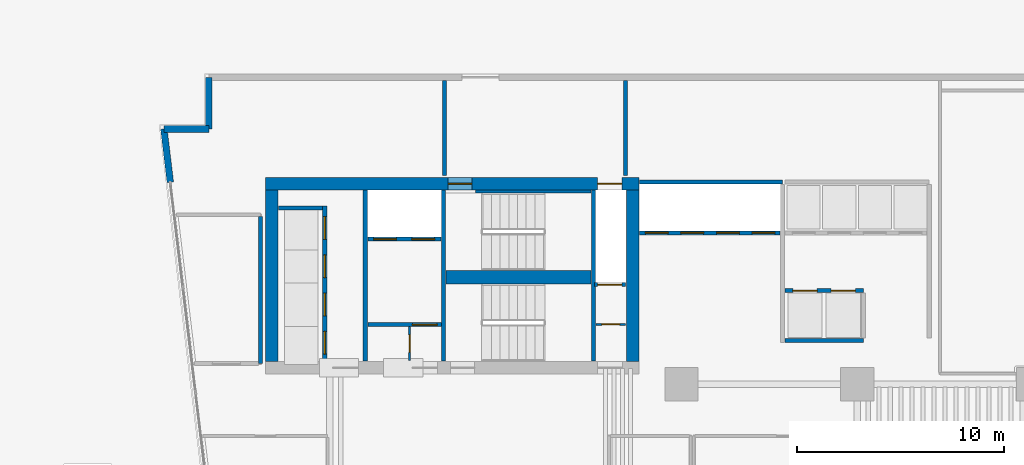
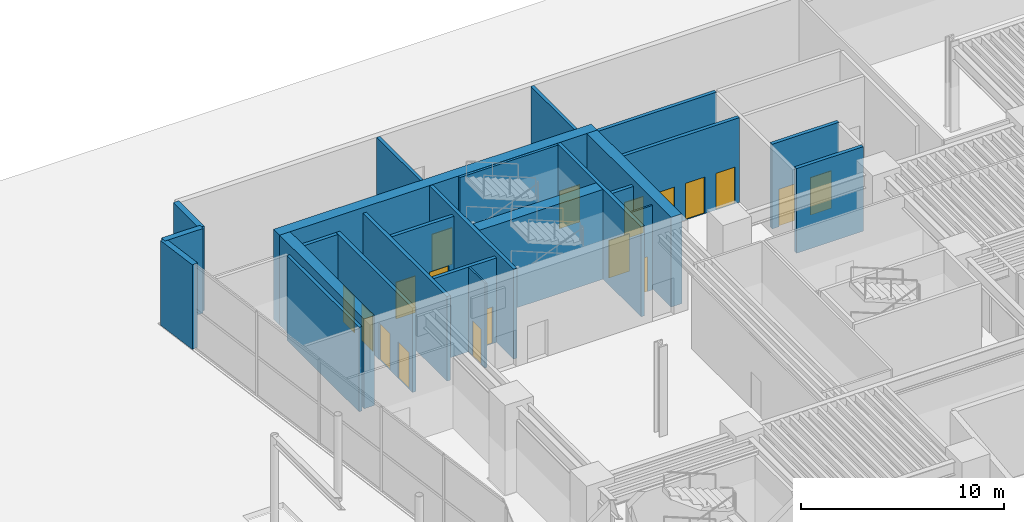
# One storey, part 10 of 18: 25 walls, 18 doors, 18 openings.
"""IFC4 building model written with IfcOpenShell, lengths in metres."""

from ifc_helpers import new_model, si_unit, direction, frame, frame_2d, origin, place, context, subcontext, project, spatial, rectangle, extrude, material, layer, layer_set, type_object, element, fill, save


model = new_model("IFC4")

# Units and contexts
model_context = context("Model", 3, precision=1e-05, world=origin(), true_north=direction((0.0, 1.0)))
body_context = subcontext(model_context, "Body", "Model", "MODEL_VIEW")
ifc_project = project(units=[si_unit("LENGTHUNIT", "METRE"), si_unit("AREAUNIT", "SQUARE_METRE"), si_unit("VOLUMEUNIT", "CUBIC_METRE"), si_unit("PLANEANGLEUNIT", "RADIAN"), si_unit("MASSUNIT", "GRAM", prefix="KILO")], contexts=[model_context])

# Site, building, storey
site_placement = place(None, origin())
site = spatial("IfcSite", under=ifc_project, at=site_placement, CompositionType="ELEMENT")
building_placement = place(site_placement, origin())
building = spatial("IfcBuilding", under=site, at=building_placement, Name="Caeloran Harvest Quay", CompositionType="ELEMENT")
storey_placement = place(building_placement, origin())
storey = spatial("IfcBuildingStorey", under=building, at=storey_placement, Name="L01", CompositionType="ELEMENT", Elevation=0.0)

# Walls
ifc_material_1 = material(Name="Precast concrete C50/60", Category="concrete")
ifc_layer_1 = layer(ifc_material_1, 0.320068359375, Name="Precast concrete C50/60")
ifc_layer_set_1 = layer_set([ifc_layer_1], Name="Precast concrete C50/60")
wall_type_1 = type_object("IfcWallType", Name="ENV-WALL-EW-320", PredefinedType="STANDARD", material=ifc_layer_set_1)
wall_1_placement = place(storey_placement, frame((0.792724609375, 40.7587890625, 0.0), z_axis=(0.0, 0.0, 1.0), x_axis=(-0.119630264411, 0.992818513041, 0.0)))
element("IfcWall", 1, at=wall_1_placement, inside=storey, type_object=wall_type_1, Name="L01 Exterior Facade Corner Pier Wall 3B", PredefinedType="STANDARD", context=body_context, shape_type="SweptSolid", body=[
    extrude(rectangle(XDim=2.599853515625, YDim=0.320068359375, at=frame_2d((1.2998046875, 0.0))), origin(), (0.0, 0.0, 1.0), 5.080078125),
])
wall_2_placement = place(storey_placement, frame((0.481689453125, 43.340087890625, 0.0), z_axis=(0.0, 0.0, 1.0), x_axis=(1.0, 0.0, 0.0)))
element("IfcWall", 2, at=wall_2_placement, inside=storey, type_object=wall_type_1, Name="L01 Exterior Precast Concrete Facade Wall 4", PredefinedType="STANDARD", context=body_context, shape_type="SweptSolid", body=[
    extrude(rectangle(XDim=2.17822265625, YDim=0.320068359375, at=frame_2d((1.089111328125, 0.0))), origin(), (0.0, 0.0, 1.0), 5.080078125),
])
wall_3_placement = place(storey_placement, frame((2.659912109375, 43.340087890625, 0.0), z_axis=(0.0, 0.0, 1.0), x_axis=(0.0, 1.0, 0.0)))
element("IfcWall", 3, at=wall_3_placement, inside=storey, type_object=wall_type_1, Name="L01 Exterior Precast Concrete Facade Wall 5", PredefinedType="STANDARD", context=body_context, shape_type="SweptSolid", body=[
    extrude(rectangle(XDim=2.5, YDim=0.320068359375, at=frame_2d((1.25, 0.0))), origin(), (0.0, 0.0, 1.0), 5.080078125),
])

# Wall, opening, door
ifc_material_2 = material(Name="Fire-Resisting Gypsum Core Riser Partition", Category="gypsum")
ifc_layer_2 = layer(ifc_material_2, 0.10009765625, Name="Fire-Resisting Gypsum Core Riser Partition")
ifc_layer_set_2 = layer_set([ifc_layer_2], Name="Fire-Resisting Gypsum Core Riser Partition")
wall_type_2 = type_object("IfcWallType", Name="INT-WALL-PW-100", PredefinedType="PARTITIONING", material=ifc_layer_set_2)
wall_4_placement = place(storey_placement, frame((12.360107421875, 32.159912109375, 0.0), z_axis=(0.0, 0.0, 1.0), x_axis=(0.0, 1.0, 0.0)))
wall_4 = element("IfcWall", 4, at=wall_4_placement, inside=storey, type_object=wall_type_2, Name="L01 Core Store Partition Wall", PredefinedType="PARTITIONING", context=body_context, shape_type="SweptSolid", body=[
    extrude(rectangle(XDim=1.6201171875, YDim=0.10009765625, at=frame_2d((0.81005859375, 0.0))), origin(), (0.0, 0.0, 1.0), 5.080078125),
])
opening_1_placement = place(wall_4_placement, frame((0.3798828125, 0.0, 0.0)))
opening_1 = element("IfcOpeningElement", 5, at=opening_1_placement, cuts=wall_4, Name="Opening SV-01", PredefinedType="OPENING", context=body_context, shape_type="SweptSolid", body=[
    extrude(rectangle(XDim=0.85009765625, YDim=2.10009765625, at=frame_2d((0.425048828125, 1.050048828125))), frame((0.0, 0.06005859375, 0.0), z_axis=(0.0, -1.0, 0.0), x_axis=(1.0, 0.0, 0.0)), (0.0, 0.0, 1.0), 0.1201171875),
])
ifc_material_3 = material(Name="Galvanized Painted Steel", Category="steel")
door_type_1 = type_object("IfcDoorType", Name="INTDOOR-SV-01", OperationType="NOTDEFINED", PredefinedType="DOOR", material=ifc_material_3)
door_1_placement = place(opening_1_placement, origin())
door_1 = element("IfcDoor", 6, at=door_1_placement, inside=storey, type_object=door_type_1, Name="L01 Core Service Room Access Door", OperationType="SINGLE_SWING_LEFT", OverallHeight=2.10009765625, OverallWidth=0.85009765625, PredefinedType="DOOR", context=body_context, shape_type="SweptSolid", body=[
    extrude(rectangle(XDim=0.85009765625, YDim=2.10009765625, at=frame_2d((0.425048828125, 1.050048828125))), frame((0.0, 0.02490234375, 0.0), z_axis=(0.0, -1.0, 0.0), x_axis=(1.0, 0.0, 0.0)), (0.0, 0.0, 1.0), 0.050048828125),
])
fill(opening_1, door_1)

wall_5_placement = place(storey_placement, frame((21.3798828125, 33.889892578125, 0.0), z_axis=(0.0, 0.0, 1.0), x_axis=(1.0, 0.0, 0.0)))
wall_5 = element("IfcWall", 7, at=wall_5_placement, inside=storey, type_object=wall_type_2, Name="L01 Cleaner Store Partition Wall", PredefinedType="PARTITIONING", context=body_context, shape_type="SweptSolid", body=[
    extrude(rectangle(XDim=1.420166015625, YDim=0.10009765625, at=frame_2d((0.7099609375, 0.0))), origin(), (0.0, 0.0, 1.0), 5.080078125),
])
opening_2_placement = place(wall_5_placement, frame((0.280029296875, 0.0, 0.0)))
opening_2 = element("IfcOpeningElement", 8, at=opening_2_placement, cuts=wall_5, Name="Opening SV-01", PredefinedType="OPENING", context=body_context, shape_type="SweptSolid", body=[
    extrude(rectangle(XDim=0.85009765625, YDim=2.10009765625, at=frame_2d((0.425048828125, 1.050048828125))), frame((0.0, 0.06005859375, 0.0), z_axis=(0.0, -1.0, 0.0), x_axis=(1.0, 0.0, 0.0)), (0.0, 0.0, 1.0), 0.1201171875),
])
door_2_placement = place(opening_2_placement, origin())
door_2 = element("IfcDoor", 9, at=door_2_placement, inside=storey, type_object=door_type_1, Name="L01 Cleaner Supply Store Access Door", OperationType="SINGLE_SWING_RIGHT", OverallHeight=2.10009765625, OverallWidth=0.85009765625, PredefinedType="DOOR", context=body_context, shape_type="SweptSolid", body=[
    extrude(rectangle(XDim=0.85009765625, YDim=2.10009765625, at=frame_2d((0.425048828125, 1.050048828125))), frame((0.0, 0.02490234375, 0.0), z_axis=(0.0, -1.0, 0.0), x_axis=(1.0, 0.0, 0.0)), (0.0, 0.0, 1.0), 0.050048828125),
])
fill(opening_2, door_2)

# Walls
ifc_material_4 = material(Name="Autoclaved Aerated Concrete Blockwork", Category="masonry")
ifc_layer_3 = layer(ifc_material_4, 0.179931640625, Name="Autoclaved Aerated Concrete Blockwork")
ifc_layer_set_3 = layer_set([ifc_layer_3], Name="Autoclaved Aerated Concrete Blockwork")
wall_type_3 = type_object("IfcWallType", Name="INT-WALL-PW-180", PredefinedType="PARTITIONING", material=ifc_layer_set_3)
for number, where, z_axis, x_axis, name in (
    (10, (22.800048828125, 45.675048828125, 0.0), (0.0, 0.0, 1.0), (0.0, -1.0, 0.0), "L01 Protected Exit Passageway ST-C1 to North Waterfront EI 120 Compartment Wall"),
    (11, (14.050048828125, 41.080078125, 0.0), (0.0, 0.0, 1.0), (0.0, 1.0, 0.0), "L01 Protected Exit Passageway ST-C1 to North Waterfront EI 120 Compartment Wall"),
):
    element("IfcWall", number, at=place(storey_placement, frame(where, z_axis=z_axis, x_axis=x_axis)), inside=storey, type_object=wall_type_3, Name=name, PredefinedType="PARTITIONING", context=body_context, shape_type="SweptSolid", body=[
        extrude(rectangle(XDim=4.594970703125, YDim=0.179931640625, at=frame_2d((2.29736328125, 0.0))), origin(), (0.0, 0.0, 1.0), 5.080078125),
    ])
wall_6_placement = place(storey_placement, frame((5.14990234375, 39.10498046875, 0.0), z_axis=(0.0, 0.0, 1.0), x_axis=(0.0, -1.0, 0.0)))
element("IfcWall", 12, at=wall_6_placement, inside=storey, type_object=wall_type_3, Name="L01 Fire Command Centre and Fire Control Room Partition Wall", PredefinedType="PARTITIONING", context=body_context, shape_type="SweptSolid", body=[
    extrude(rectangle(XDim=7.10498046875, YDim=0.179931640625, at=frame_2d((3.552490234375, 0.0))), origin(), (0.0, 0.0, 1.0), 5.080078125),
])

# Wall, openings, doors
ifc_material_5 = material(Name="Concrete C50/60", Category="concrete")
ifc_layer_4 = layer(ifc_material_5, 0.199951171875, Name="Concrete C50/60")
ifc_layer_set_4 = layer_set([ifc_layer_4], Name="Concrete C50/60")
wall_type_4 = type_object("IfcWallType", Name="INT-WALL-SW-200", PredefinedType="PARTITIONING", material=ifc_layer_set_4)
wall_7_placement = place(storey_placement, frame((8.260009765625, 32.1201171875, 0.0), z_axis=(0.0, 0.0, 1.0), x_axis=(0.0, 1.0, 0.0)))
wall_7 = element("IfcWall", 13, at=wall_7_placement, inside=storey, type_object=wall_type_4, Name="L01 Bank 3 Lift Shaft Wall", PredefinedType="PARTITIONING", context=body_context, shape_type="SweptSolid", body=[
    extrude(rectangle(XDim=7.5, YDim=0.199951171875, at=frame_2d((3.75, 0.0))), origin(), (0.0, 0.0, 1.0), 5.080078125),
])
opening_3_placement = place(wall_7_placement, frame((0.330078125, 0.0, 0.0)))
opening_3 = element("IfcOpeningElement", 14, at=opening_3_placement, cuts=wall_7, Name="Opening LD-01", PredefinedType="OPENING", context=body_context, shape_type="SweptSolid", body=[
    extrude(rectangle(XDim=1.10009765625, YDim=2.199951171875, at=frame_2d((0.550048828125, 1.10009765625))), frame((0.0, 0.10986328125, 0.0), z_axis=(0.0, -1.0, 0.0), x_axis=(1.0, 0.0, 0.0)), (0.0, 0.0, 1.0), 0.219970703125),
])
opening_4_placement = place(wall_7_placement, frame((2.179931640625, 0.0, 0.0)))
opening_4 = element("IfcOpeningElement", 15, at=opening_4_placement, cuts=wall_7, Name="Opening LD-01", PredefinedType="OPENING", context=body_context, shape_type="SweptSolid", body=[
    extrude(rectangle(XDim=1.10009765625, YDim=2.199951171875, at=frame_2d((0.550048828125, 1.10009765625))), frame((0.0, 0.10986328125, 0.0), z_axis=(0.0, -1.0, 0.0), x_axis=(1.0, 0.0, 0.0)), (0.0, 0.0, 1.0), 0.219970703125),
])
opening_5_placement = place(wall_7_placement, frame((4.030029296875, 0.0, 0.0)))
opening_5 = element("IfcOpeningElement", 16, at=opening_5_placement, cuts=wall_7, Name="Opening LD-01", PredefinedType="OPENING", context=body_context, shape_type="SweptSolid", body=[
    extrude(rectangle(XDim=1.10009765625, YDim=2.199951171875, at=frame_2d((0.550048828125, 1.10009765625))), frame((0.0, 0.10986328125, 0.0), z_axis=(0.0, -1.0, 0.0), x_axis=(1.0, 0.0, 0.0)), (0.0, 0.0, 1.0), 0.219970703125),
])
opening_6_placement = place(wall_7_placement, frame((5.8798828125, 0.0, 0.0)))
opening_6 = element("IfcOpeningElement", 17, at=opening_6_placement, cuts=wall_7, Name="Opening LD-01", PredefinedType="OPENING", context=body_context, shape_type="SweptSolid", body=[
    extrude(rectangle(XDim=1.10009765625, YDim=2.199951171875, at=frame_2d((0.550048828125, 1.10009765625))), frame((0.0, 0.10986328125, 0.0), z_axis=(0.0, -1.0, 0.0), x_axis=(1.0, 0.0, 0.0)), (0.0, 0.0, 1.0), 0.219970703125),
])
ifc_material_6 = material(Name="Stainless Steel Grade 316", Category="steel")
door_type_2 = type_object("IfcDoorType", Name="INTDOOR-LD-01", OperationType="NOTDEFINED", PredefinedType="DOOR", material=ifc_material_6)
door_3_placement = place(opening_3_placement, origin())
door_3 = element("IfcDoor", 18, at=door_3_placement, inside=storey, type_object=door_type_2, Name="Lift P3-1 Sliding Landing Door (L01)", OperationType="DOUBLE_DOOR_SLIDING", OverallHeight=2.199951171875, OverallWidth=1.10009765625, PredefinedType="DOOR", context=body_context, shape_type="SweptSolid", body=[
    extrude(rectangle(XDim=1.10009765625, YDim=2.199951171875, at=frame_2d((0.550048828125, 1.10009765625))), frame((0.0, 0.02490234375, 0.0), z_axis=(0.0, -1.0, 0.0), x_axis=(1.0, 0.0, 0.0)), (0.0, 0.0, 1.0), 0.050048828125),
])
fill(opening_3, door_3)
door_4_placement = place(opening_4_placement, origin())
door_4 = element("IfcDoor", 19, at=door_4_placement, inside=storey, type_object=door_type_2, Name="Lift P3-2 Sliding Landing Door (L01)", OperationType="DOUBLE_DOOR_SLIDING", OverallHeight=2.199951171875, OverallWidth=1.10009765625, PredefinedType="DOOR", context=body_context, shape_type="SweptSolid", body=[
    extrude(rectangle(XDim=1.10009765625, YDim=2.199951171875, at=frame_2d((0.550048828125, 1.10009765625))), frame((0.0, 0.02490234375, 0.0), z_axis=(0.0, -1.0, 0.0), x_axis=(1.0, 0.0, 0.0)), (0.0, 0.0, 1.0), 0.050048828125),
])
fill(opening_4, door_4)
door_5_placement = place(opening_5_placement, origin())
door_5 = element("IfcDoor", 20, at=door_5_placement, inside=storey, type_object=door_type_2, Name="Lift P3-3 Sliding Landing Door (L01)", OperationType="DOUBLE_DOOR_SLIDING", OverallHeight=2.199951171875, OverallWidth=1.10009765625, PredefinedType="DOOR", context=body_context, shape_type="SweptSolid", body=[
    extrude(rectangle(XDim=1.10009765625, YDim=2.199951171875, at=frame_2d((0.550048828125, 1.10009765625))), frame((0.0, 0.02490234375, 0.0), z_axis=(0.0, -1.0, 0.0), x_axis=(1.0, 0.0, 0.0)), (0.0, 0.0, 1.0), 0.050048828125),
])
fill(opening_5, door_5)
door_6_placement = place(opening_6_placement, origin())
door_6 = element("IfcDoor", 21, at=door_6_placement, inside=storey, type_object=door_type_2, Name="Lift P3-4 Sliding Landing Door (L01)", OperationType="DOUBLE_DOOR_SLIDING", OverallHeight=2.199951171875, OverallWidth=1.10009765625, PredefinedType="DOOR", context=body_context, shape_type="SweptSolid", body=[
    extrude(rectangle(XDim=1.10009765625, YDim=2.199951171875, at=frame_2d((0.550048828125, 1.10009765625))), frame((0.0, 0.02490234375, 0.0), z_axis=(0.0, -1.0, 0.0), x_axis=(1.0, 0.0, 0.0)), (0.0, 0.0, 1.0), 0.050048828125),
])
fill(opening_6, door_6)

# Walls
wall_8_placement = place(storey_placement, frame((6.02001953125, 39.52001953125, 0.0), z_axis=(0.0, 0.0, 1.0), x_axis=(1.0, 0.0, 0.0)))
element("IfcWall", 22, at=wall_8_placement, inside=storey, type_object=wall_type_4, Name="L01 Bank 3 Lift Shaft North End Wall", PredefinedType="PARTITIONING", context=body_context, shape_type="SweptSolid", body=[
    extrude(rectangle(XDim=2.119873046875, YDim=0.199951171875, at=frame_2d((1.06005859375, 0.0))), origin(), (0.0, 0.0, 1.0), 5.080078125),
])
wall_9_placement = place(storey_placement, frame((10.219970703125, 32.1201171875, 0.0), z_axis=(0.0, 0.0, 1.0), x_axis=(0.0, 1.0, 0.0)))
element("IfcWall", 23, at=wall_9_placement, inside=storey, type_object=wall_type_4, Name="L01 Core Lobby Compartment Wall", PredefinedType="PARTITIONING", context=body_context, shape_type="SweptSolid", body=[
    extrude(rectangle(XDim=8.259765625, YDim=0.199951171875, at=frame_2d((4.1298828125, 0.0))), origin(), (0.0, 0.0, 1.0), 5.080078125),
])

# Wall, openings, doors
wall_10_placement = place(storey_placement, frame((10.340087890625, 38.02001953125, 0.0), z_axis=(0.0, 0.0, 1.0), x_axis=(1.0, 0.0, 0.0)))
wall_10 = element("IfcWall", 24, at=wall_10_placement, inside=storey, type_object=wall_type_4, Name="L01 Firefighting Lift Shaft Wall", PredefinedType="PARTITIONING", context=body_context, shape_type="SweptSolid", body=[
    extrude(rectangle(XDim=3.539794921875, YDim=0.199951171875, at=frame_2d((1.77001953125, 0.0))), origin(), (0.0, 0.0, 1.0), 5.080078125),
])
opening_7_placement = place(wall_10_placement, frame((0.284912109375, 0.0, 0.0)))
opening_7 = element("IfcOpeningElement", 25, at=opening_7_placement, cuts=wall_10, Name="Opening LD-01", PredefinedType="OPENING", context=body_context, shape_type="SweptSolid", body=[
    extrude(rectangle(XDim=1.10009765625, YDim=2.199951171875, at=frame_2d((0.550048828125, 1.10009765625))), frame((0.0, 0.10986328125, 0.0), z_axis=(0.0, -1.0, 0.0), x_axis=(1.0, 0.0, 0.0)), (0.0, 0.0, 1.0), 0.219970703125),
])
opening_8_placement = place(wall_10_placement, frame((2.135009765625, 0.0, 0.0)))
opening_8 = element("IfcOpeningElement", 26, at=opening_8_placement, cuts=wall_10, Name="Opening LD-01", PredefinedType="OPENING", context=body_context, shape_type="SweptSolid", body=[
    extrude(rectangle(XDim=1.10009765625, YDim=2.199951171875, at=frame_2d((0.550048828125, 1.10009765625))), frame((0.0, 0.10986328125, 0.0), z_axis=(0.0, -1.0, 0.0), x_axis=(1.0, 0.0, 0.0)), (0.0, 0.0, 1.0), 0.219970703125),
])
door_7_placement = place(opening_7_placement, origin())
door_7 = element("IfcDoor", 27, at=door_7_placement, inside=storey, type_object=door_type_2, Name="Lift FF-1 Sliding Landing Door (L01)", OperationType="DOUBLE_DOOR_SLIDING", OverallHeight=2.199951171875, OverallWidth=1.10009765625, PredefinedType="DOOR", context=body_context, shape_type="SweptSolid", body=[
    extrude(rectangle(XDim=1.10009765625, YDim=2.199951171875, at=frame_2d((0.550048828125, 1.10009765625))), frame((0.0, 0.02490234375, 0.0), z_axis=(0.0, -1.0, 0.0), x_axis=(1.0, 0.0, 0.0)), (0.0, 0.0, 1.0), 0.050048828125),
])
fill(opening_7, door_7)
door_8_placement = place(opening_8_placement, origin())
door_8 = element("IfcDoor", 28, at=door_8_placement, inside=storey, type_object=door_type_2, Name="Lift FF-2 Sliding Landing Door (L01)", OperationType="DOUBLE_DOOR_SLIDING", OverallHeight=2.199951171875, OverallWidth=1.10009765625, PredefinedType="DOOR", context=body_context, shape_type="SweptSolid", body=[
    extrude(rectangle(XDim=1.10009765625, YDim=2.199951171875, at=frame_2d((0.550048828125, 1.10009765625))), frame((0.0, 0.02490234375, 0.0), z_axis=(0.0, -1.0, 0.0), x_axis=(1.0, 0.0, 0.0)), (0.0, 0.0, 1.0), 0.050048828125),
])
fill(opening_8, door_8)

# Wall, opening, door
wall_11_placement = place(storey_placement, frame((10.340087890625, 33.8798828125, 0.0), z_axis=(0.0, 0.0, 1.0), x_axis=(1.0, 0.0, 0.0)))
wall_11 = element("IfcWall", 29, at=wall_11_placement, inside=storey, type_object=wall_type_4, Name="L01 Firefighting Lift Lobby Enclosure Wall", PredefinedType="PARTITIONING", context=body_context, shape_type="SweptSolid", body=[
    extrude(rectangle(XDim=3.559814453125, YDim=0.199951171875, at=frame_2d((1.77978515625, 0.0))), origin(), (0.0, 0.0, 1.0), 5.080078125),
])
opening_9_placement = place(wall_11_placement, frame((2.14990234375, 0.0, 0.0)))
opening_9 = element("IfcOpeningElement", 30, at=opening_9_placement, cuts=wall_11, Name="Opening FD-01", PredefinedType="OPENING", context=body_context, shape_type="SweptSolid", body=[
    extrude(rectangle(XDim=1.199951171875, YDim=2.199951171875, at=frame_2d((0.60009765625, 1.10009765625))), frame((0.0, 0.10986328125, 0.0), z_axis=(0.0, -1.0, 0.0), x_axis=(1.0, 0.0, 0.0)), (0.0, 0.0, 1.0), 0.219970703125),
])
ifc_material_7 = material(Name="Steel", Category="steel")
door_type_3 = type_object("IfcDoorType", Name="INTDOOR-FD-01", OperationType="NOTDEFINED", PredefinedType="DOOR", material=ifc_material_7)
door_9_placement = place(opening_9_placement, origin())
door_9 = element("IfcDoor", 31, at=door_9_placement, inside=storey, type_object=door_type_3, Name="L01 Firefighting Lift Lobby Smoke-Seal Fire Door", OperationType="SINGLE_SWING_LEFT", OverallHeight=2.199951171875, OverallWidth=1.199951171875, PredefinedType="DOOR", context=body_context, shape_type="SweptSolid", body=[
    extrude(rectangle(XDim=1.199951171875, YDim=2.199951171875, at=frame_2d((0.60009765625, 1.10009765625))), frame((0.0, 0.02490234375, 0.0), z_axis=(0.0, -1.0, 0.0), x_axis=(1.0, 0.0, 0.0)), (0.0, 0.0, 1.0), 0.050048828125),
])
fill(opening_9, door_9)

wall_12_placement = place(storey_placement, frame((21.300048828125, 35.820068359375, 0.0), z_axis=(0.0, 0.0, 1.0), x_axis=(1.0, 0.0, 0.0)))
wall_12 = element("IfcWall", 32, at=wall_12_placement, inside=storey, type_object=wall_type_4, Name="L01 Service Lift SV-2 Shaft Wall", PredefinedType="PARTITIONING", context=body_context, shape_type="SweptSolid", body=[
    extrude(rectangle(XDim=1.5, YDim=0.199951171875, at=frame_2d((0.75, 0.0))), origin(), (0.0, 0.0, 1.0), 5.080078125),
])
opening_10_placement = place(wall_12_placement, frame((0.14501953125, 0.0, 0.0)))
opening_10 = element("IfcOpeningElement", 33, at=opening_10_placement, cuts=wall_12, Name="Opening LD-02", PredefinedType="OPENING", context=body_context, shape_type="SweptSolid", body=[
    extrude(rectangle(XDim=1.179931640625, YDim=2.25, at=frame_2d((0.58984375, 1.125))), frame((0.0, 0.10986328125, 0.0), z_axis=(0.0, -1.0, 0.0), x_axis=(1.0, 0.0, 0.0)), (0.0, 0.0, 1.0), 0.219970703125),
])
door_type_4 = type_object("IfcDoorType", Name="INTDOOR-LD-02", OperationType="NOTDEFINED", PredefinedType="DOOR", material=ifc_material_6)
door_10_placement = place(opening_10_placement, origin())
door_10 = element("IfcDoor", 34, at=door_10_placement, inside=storey, type_object=door_type_4, Name="Lift SV-2 Sliding Landing Door (L01)", OperationType="DOUBLE_DOOR_SLIDING", OverallHeight=2.25, OverallWidth=1.179931640625, PredefinedType="DOOR", context=body_context, shape_type="SweptSolid", body=[
    extrude(rectangle(XDim=1.179931640625, YDim=2.25, at=frame_2d((0.58984375, 1.125))), frame((0.0, 0.02490234375, 0.0), z_axis=(0.0, -1.0, 0.0), x_axis=(1.0, 0.0, 0.0)), (0.0, 0.0, 1.0), 0.050048828125),
])
fill(opening_10, door_10)

# Wall
wall_13_placement = place(storey_placement, frame((23.469970703125, 40.780029296875, 0.0), z_axis=(0.0, 0.0, 1.0), x_axis=(1.0, 0.0, 0.0)))
element("IfcWall", 35, at=wall_13_placement, inside=storey, type_object=wall_type_4, Name="L01 Bank 1 Lift Shaft North Wall", PredefinedType="PARTITIONING", context=body_context, shape_type="SweptSolid", body=[
    extrude(rectangle(XDim=6.909912109375, YDim=0.199951171875, at=frame_2d((3.455078125, 0.0))), origin(), (0.0, 0.0, 1.0), 5.080078125),
])

# Wall, openings, doors
wall_14_placement = place(storey_placement, frame((23.469970703125, 38.320068359375, 0.0), z_axis=(0.0, 0.0, 1.0), x_axis=(1.0, 0.0, 0.0)))
wall_14 = element("IfcWall", 36, at=wall_14_placement, inside=storey, type_object=wall_type_4, Name="L01 Bank 1 Lift Landing Front Wall", PredefinedType="PARTITIONING", context=body_context, shape_type="SweptSolid", body=[
    extrude(rectangle(XDim=6.7900390625, YDim=0.199951171875, at=frame_2d((3.39501953125, 0.0))), origin(), (0.0, 0.0, 1.0), 5.080078125),
])
opening_11_placement = place(wall_14_placement, frame((0.2900390625, 0.0, 0.0)))
opening_11 = element("IfcOpeningElement", 37, at=opening_11_placement, cuts=wall_14, Name="Opening LD-01", PredefinedType="OPENING", context=body_context, shape_type="SweptSolid", body=[
    extrude(rectangle(XDim=1.10009765625, YDim=2.199951171875, at=frame_2d((0.550048828125, 1.10009765625))), frame((0.0, 0.10986328125, 0.0), z_axis=(0.0, -1.0, 0.0), x_axis=(1.0, 0.0, 0.0)), (0.0, 0.0, 1.0), 0.219970703125),
])
opening_12_placement = place(wall_14_placement, frame((2.010009765625, 0.0, 0.0)))
opening_12 = element("IfcOpeningElement", 38, at=opening_12_placement, cuts=wall_14, Name="Opening LD-01", PredefinedType="OPENING", context=body_context, shape_type="SweptSolid", body=[
    extrude(rectangle(XDim=1.10009765625, YDim=2.199951171875, at=frame_2d((0.550048828125, 1.10009765625))), frame((0.0, 0.10986328125, 0.0), z_axis=(0.0, -1.0, 0.0), x_axis=(1.0, 0.0, 0.0)), (0.0, 0.0, 1.0), 0.219970703125),
])
opening_13_placement = place(wall_14_placement, frame((3.72998046875, 0.0, 0.0)))
opening_13 = element("IfcOpeningElement", 39, at=opening_13_placement, cuts=wall_14, Name="Opening LD-01", PredefinedType="OPENING", context=body_context, shape_type="SweptSolid", body=[
    extrude(rectangle(XDim=1.10009765625, YDim=2.199951171875, at=frame_2d((0.550048828125, 1.10009765625))), frame((0.0, 0.10986328125, 0.0), z_axis=(0.0, -1.0, 0.0), x_axis=(1.0, 0.0, 0.0)), (0.0, 0.0, 1.0), 0.219970703125),
])
opening_14_placement = place(wall_14_placement, frame((5.449951171875, 0.0, 0.0)))
opening_14 = element("IfcOpeningElement", 40, at=opening_14_placement, cuts=wall_14, Name="Opening LD-01", PredefinedType="OPENING", context=body_context, shape_type="SweptSolid", body=[
    extrude(rectangle(XDim=1.10009765625, YDim=2.199951171875, at=frame_2d((0.550048828125, 1.10009765625))), frame((0.0, 0.10986328125, 0.0), z_axis=(0.0, -1.0, 0.0), x_axis=(1.0, 0.0, 0.0)), (0.0, 0.0, 1.0), 0.219970703125),
])
door_11_placement = place(opening_11_placement, origin())
door_11 = element("IfcDoor", 41, at=door_11_placement, inside=storey, type_object=door_type_2, Name="Lift P1-1 Sliding Landing Door (L01)", OperationType="DOUBLE_DOOR_SLIDING", OverallHeight=2.199951171875, OverallWidth=1.10009765625, PredefinedType="DOOR", context=body_context, shape_type="SweptSolid", body=[
    extrude(rectangle(XDim=1.10009765625, YDim=2.199951171875, at=frame_2d((0.550048828125, 1.10009765625))), frame((0.0, 0.02490234375, 0.0), z_axis=(0.0, -1.0, 0.0), x_axis=(1.0, 0.0, 0.0)), (0.0, 0.0, 1.0), 0.050048828125),
])
fill(opening_11, door_11)
door_12_placement = place(opening_12_placement, origin())
door_12 = element("IfcDoor", 42, at=door_12_placement, inside=storey, type_object=door_type_2, Name="Lift P1-2 Sliding Landing Door (L01)", OperationType="DOUBLE_DOOR_SLIDING", OverallHeight=2.199951171875, OverallWidth=1.10009765625, PredefinedType="DOOR", context=body_context, shape_type="SweptSolid", body=[
    extrude(rectangle(XDim=1.10009765625, YDim=2.199951171875, at=frame_2d((0.550048828125, 1.10009765625))), frame((0.0, 0.02490234375, 0.0), z_axis=(0.0, -1.0, 0.0), x_axis=(1.0, 0.0, 0.0)), (0.0, 0.0, 1.0), 0.050048828125),
])
fill(opening_12, door_12)
door_13_placement = place(opening_13_placement, origin())
door_13 = element("IfcDoor", 43, at=door_13_placement, inside=storey, type_object=door_type_2, Name="Lift P1-3 Sliding Landing Door (L01)", OperationType="DOUBLE_DOOR_SLIDING", OverallHeight=2.199951171875, OverallWidth=1.10009765625, PredefinedType="DOOR", context=body_context, shape_type="SweptSolid", body=[
    extrude(rectangle(XDim=1.10009765625, YDim=2.199951171875, at=frame_2d((0.550048828125, 1.10009765625))), frame((0.0, 0.02490234375, 0.0), z_axis=(0.0, -1.0, 0.0), x_axis=(1.0, 0.0, 0.0)), (0.0, 0.0, 1.0), 0.050048828125),
])
fill(opening_13, door_13)
door_14_placement = place(opening_14_placement, origin())
door_14 = element("IfcDoor", 44, at=door_14_placement, inside=storey, type_object=door_type_2, Name="Lift P1-4 Sliding Landing Door (L01)", OperationType="DOUBLE_DOOR_SLIDING", OverallHeight=2.199951171875, OverallWidth=1.10009765625, PredefinedType="DOOR", context=body_context, shape_type="SweptSolid", body=[
    extrude(rectangle(XDim=1.10009765625, YDim=2.199951171875, at=frame_2d((0.550048828125, 1.10009765625))), frame((0.0, 0.02490234375, 0.0), z_axis=(0.0, -1.0, 0.0), x_axis=(1.0, 0.0, 0.0)), (0.0, 0.0, 1.0), 0.050048828125),
])
fill(opening_14, door_14)

wall_15_placement = place(storey_placement, frame((30.5, 35.530029296875, 0.0), z_axis=(0.0, 0.0, 1.0), x_axis=(1.0, 0.0, 0.0)))
wall_15 = element("IfcWall", 45, at=wall_15_placement, inside=storey, type_object=wall_type_4, Name="L01 Shuttle Lift Landing Front Wall", PredefinedType="PARTITIONING", context=body_context, shape_type="SweptSolid", body=[
    extrude(rectangle(XDim=3.800048828125, YDim=0.199951171875, at=frame_2d((1.89990234375, 0.0))), origin(), (0.0, 0.0, 1.0), 5.080078125),
])
opening_15_placement = place(wall_15_placement, frame((0.385009765625, 0.0, 0.0)))
opening_15 = element("IfcOpeningElement", 46, at=opening_15_placement, cuts=wall_15, Name="Opening LD-02", PredefinedType="OPENING", context=body_context, shape_type="SweptSolid", body=[
    extrude(rectangle(XDim=1.179931640625, YDim=2.25, at=frame_2d((0.58984375, 1.125))), frame((0.0, 0.10986328125, 0.0), z_axis=(0.0, -1.0, 0.0), x_axis=(1.0, 0.0, 0.0)), (0.0, 0.0, 1.0), 0.219970703125),
])
opening_16_placement = place(wall_15_placement, frame((2.235107421875, 0.0, 0.0)))
opening_16 = element("IfcOpeningElement", 47, at=opening_16_placement, cuts=wall_15, Name="Opening LD-02", PredefinedType="OPENING", context=body_context, shape_type="SweptSolid", body=[
    extrude(rectangle(XDim=1.179931640625, YDim=2.25, at=frame_2d((0.58984375, 1.125))), frame((0.0, 0.10986328125, 0.0), z_axis=(0.0, -1.0, 0.0), x_axis=(1.0, 0.0, 0.0)), (0.0, 0.0, 1.0), 0.219970703125),
])
door_15_placement = place(opening_15_placement, origin())
door_15 = element("IfcDoor", 48, at=door_15_placement, inside=storey, type_object=door_type_4, Name="Lift SH-1 Sliding Landing Door (L01)", OperationType="DOUBLE_DOOR_SLIDING", OverallHeight=2.25, OverallWidth=1.179931640625, PredefinedType="DOOR", context=body_context, shape_type="SweptSolid", body=[
    extrude(rectangle(XDim=1.179931640625, YDim=2.25, at=frame_2d((0.58984375, 1.125))), frame((0.0, 0.02490234375, 0.0), z_axis=(0.0, -1.0, 0.0), x_axis=(1.0, 0.0, 0.0)), (0.0, 0.0, 1.0), 0.050048828125),
])
fill(opening_15, door_15)
door_16_placement = place(opening_16_placement, origin())
door_16 = element("IfcDoor", 49, at=door_16_placement, inside=storey, type_object=door_type_4, Name="Lift SH-2 Sliding Landing Door (L01)", OperationType="DOUBLE_DOOR_SLIDING", OverallHeight=2.25, OverallWidth=1.179931640625, PredefinedType="DOOR", context=body_context, shape_type="SweptSolid", body=[
    extrude(rectangle(XDim=1.179931640625, YDim=2.25, at=frame_2d((0.58984375, 1.125))), frame((0.0, 0.02490234375, 0.0), z_axis=(0.0, -1.0, 0.0), x_axis=(1.0, 0.0, 0.0)), (0.0, 0.0, 1.0), 0.050048828125),
])
fill(opening_16, door_16)

# Wall
wall_16_placement = place(storey_placement, frame((30.5, 33.1201171875, 0.0), z_axis=(0.0, 0.0, 1.0), x_axis=(1.0, 0.0, 0.0)))
element("IfcWall", 50, at=wall_16_placement, inside=storey, type_object=wall_type_4, Name="L01 Shuttle Lift Shaft South Wall", PredefinedType="PARTITIONING", context=body_context, shape_type="SweptSolid", body=[
    extrude(rectangle(XDim=3.800048828125, YDim=0.199951171875, at=frame_2d((1.89990234375, 0.0))), origin(), (0.0, 0.0, 1.0), 5.080078125),
])

# Wall, openings, doors
ifc_material_8 = material(Name="Concrete C80/95", Category="concrete")
ifc_layer_5 = layer(ifc_material_8, 0.60009765625, Name="Concrete C80/95")
ifc_layer_set_5 = layer_set([ifc_layer_5], Name="Concrete C80/95")
wall_type_5 = type_object("IfcWallType", Name="STR-WALL-CW-600", PredefinedType="SHEAR", material=ifc_layer_set_5)
wall_17_placement = place(storey_placement, frame((5.39990234375, 40.699951171875, 0.0), z_axis=(0.0, 0.0, 1.0), x_axis=(1.0, 0.0, 0.0)))
wall_17 = element("IfcWall", 51, at=wall_17_placement, inside=storey, type_object=wall_type_5, Name="L01 Rear Core Shear Wall N", PredefinedType="SHEAR", context=body_context, shape_type="SweptSolid", body=[
    extrude(rectangle(XDim=18.050048828125, YDim=0.60009765625, at=frame_2d((9.02490234375, 0.0))), origin(), (0.0, 0.0, 1.0), 5.39990234375),
])
opening_17_placement = place(wall_17_placement, frame((8.820068359375, 0.0, 0.0)))
opening_17 = element("IfcOpeningElement", 52, at=opening_17_placement, cuts=wall_17, Name="Opening SD-01", PredefinedType="OPENING", context=body_context, shape_type="SweptSolid", body=[
    extrude(rectangle(XDim=1.14990234375, YDim=2.199951171875, at=frame_2d((0.574951171875, 1.10009765625))), frame((0.0, 0.31005859375, 0.0), z_axis=(0.0, -1.0, 0.0), x_axis=(1.0, 0.0, 0.0)), (0.0, 0.0, 1.0), 0.6201171875),
])
opening_18_placement = place(wall_17_placement, frame((16.044921875, 0.0, 0.0)))
opening_18 = element("IfcOpeningElement", 53, at=opening_18_placement, cuts=wall_17, Name="Opening LD-02", PredefinedType="OPENING", context=body_context, shape_type="SweptSolid", body=[
    extrude(rectangle(XDim=1.179931640625, YDim=2.25, at=frame_2d((0.58984375, 1.125))), frame((0.0, 0.31005859375, 0.0), z_axis=(0.0, -1.0, 0.0), x_axis=(1.0, 0.0, 0.0)), (0.0, 0.0, 1.0), 0.6201171875),
])
door_17_placement = place(opening_18_placement, origin())
door_17 = element("IfcDoor", 54, at=door_17_placement, inside=storey, type_object=door_type_4, Name="Lift SV-1 Sliding Landing Door (L01)", OperationType="DOUBLE_DOOR_SLIDING", OverallHeight=2.25, OverallWidth=1.179931640625, PredefinedType="DOOR", context=body_context, shape_type="SweptSolid", body=[
    extrude(rectangle(XDim=1.179931640625, YDim=2.25, at=frame_2d((0.58984375, 1.125))), frame((0.0, 0.02490234375, 0.0), z_axis=(0.0, -1.0, 0.0), x_axis=(1.0, 0.0, 0.0)), (0.0, 0.0, 1.0), 0.050048828125),
])
fill(opening_18, door_17)
door_type_5 = type_object("IfcDoorType", Name="INTDOOR-SD-01", OperationType="NOTDEFINED", PredefinedType="DOOR", material=ifc_material_7)
door_18_placement = place(opening_17_placement, origin())
door_18 = element("IfcDoor", 55, at=door_18_placement, inside=storey, type_object=door_type_5, Name="L01 Protected Stair ST-C1 Exit Door", OperationType="SINGLE_SWING_RIGHT", OverallHeight=2.199951171875, OverallWidth=1.14990234375, PredefinedType="DOOR", context=body_context, shape_type="SweptSolid", body=[
    extrude(rectangle(XDim=1.14990234375, YDim=2.199951171875, at=frame_2d((0.574951171875, 1.10009765625))), frame((0.0, 0.02490234375, 0.0), z_axis=(0.0, -1.0, 0.0), x_axis=(1.0, 0.0, 0.0)), (0.0, 0.0, 1.0), 0.050048828125),
])
fill(opening_17, door_18)

# Walls
for number, where, z_axis, x_axis, name in (
    (56, (5.699951171875, 32.10009765625, 0.0), (0.0, 0.0, 1.0), (0.0, 1.0, 0.0), "L01 Rear Core Shear Wall W"),
    (57, (23.14990234375, 32.10009765625, 0.0), (0.0, 0.0, 1.0), (0.0, 1.0, 0.0), "L01 Rear Core Shear Wall E"),
):
    element("IfcWall", number, at=place(storey_placement, frame(where, z_axis=z_axis, x_axis=x_axis)), inside=storey, type_object=wall_type_5, Name=name, PredefinedType="SHEAR", context=body_context, shape_type="SweptSolid", body=[
        extrude(rectangle(XDim=8.2998046875, YDim=0.60009765625, at=frame_2d((4.14990234375, 0.0))), origin(), (0.0, 0.0, 1.0), 5.39990234375),
    ])
ifc_material_9 = material(Name="Concrete C60/75", Category="concrete")
ifc_layer_6 = layer(ifc_material_9, 0.64990234375, Name="Concrete C60/75")
ifc_layer_set_6 = layer_set([ifc_layer_6], Name="Concrete C60/75")
wall_type_6 = type_object("IfcWallType", Name="STR-WALL-CW-650", PredefinedType="SHEAR", material=ifc_layer_set_6)
wall_18_placement = place(storey_placement, frame((14.1201171875, 36.175048828125, 0.0), z_axis=(0.0, 0.0, 1.0), x_axis=(1.0, 0.0, 0.0)))
element("IfcWall", 58, at=wall_18_placement, inside=storey, type_object=wall_type_6, Name="L01 Core Stairs Dividing Shear Wall", PredefinedType="SHEAR", context=body_context, shape_type="SweptSolid", body=[
    extrude(rectangle(XDim=7.009765625, YDim=0.64990234375, at=frame_2d((3.5048828125, 0.0))), origin(), (0.0, 0.0, 1.0), 5.39990234375),
])
ifc_layer_7 = layer(ifc_material_9, 0.139892578125, Name="Concrete C60/75")
ifc_layer_set_7 = layer_set([ifc_layer_7], Name="Concrete C60/75")
wall_type_7 = type_object("IfcWallType", Name="STR-WALL-SW-140", PredefinedType="SHEAR", material=ifc_layer_set_7)
wall_19_placement = place(storey_placement, frame((15.550048828125, 40.320068359375, 0.0), z_axis=(0.0, 0.0, 1.0), x_axis=(1.0, 0.0, 0.0)))
element("IfcWall", 59, at=wall_19_placement, inside=storey, type_object=wall_type_7, Name="L01 Core Stair ST-C1 North Bearing Shear Wall", PredefinedType="SHEAR", context=body_context, shape_type="SweptSolid", body=[
    extrude(rectangle(XDim=5.579833984375, YDim=0.139892578125, at=frame_2d((2.7900390625, 0.0))), origin(), (0.0, 0.0, 1.0), 5.39990234375),
])
ifc_layer_8 = layer(ifc_material_9, 0.199951171875, Name="Concrete C60/75")
ifc_layer_set_8 = layer_set([ifc_layer_8], Name="Concrete C60/75")
wall_type_8 = type_object("IfcWallType", Name="STR-WALL-SW-200", PredefinedType="SHEAR", material=ifc_layer_set_8)
for number, where, z_axis, x_axis, name in (
    (60, (14.0, 32.1201171875, 0.0), (0.0, 0.0, 1.0), (0.0, 1.0, 0.0), "L01 Core Stair Shaft West Shear Wall"),
    (61, (21.25, 32.1201171875, 0.0), (0.0, 0.0, 1.0), (0.0, 1.0, 0.0), "L01 Core Stair Shaft East Shear Wall"),
):
    element("IfcWall", number, at=place(storey_placement, frame(where, z_axis=z_axis, x_axis=x_axis)), inside=storey, type_object=wall_type_8, Name=name, PredefinedType="SHEAR", context=body_context, shape_type="SweptSolid", body=[
        extrude(rectangle(XDim=8.259765625, YDim=0.199951171875, at=frame_2d((4.1298828125, 0.0))), origin(), (0.0, 0.0, 1.0), 5.39990234375),
    ])

save(model, "model.ifc")
